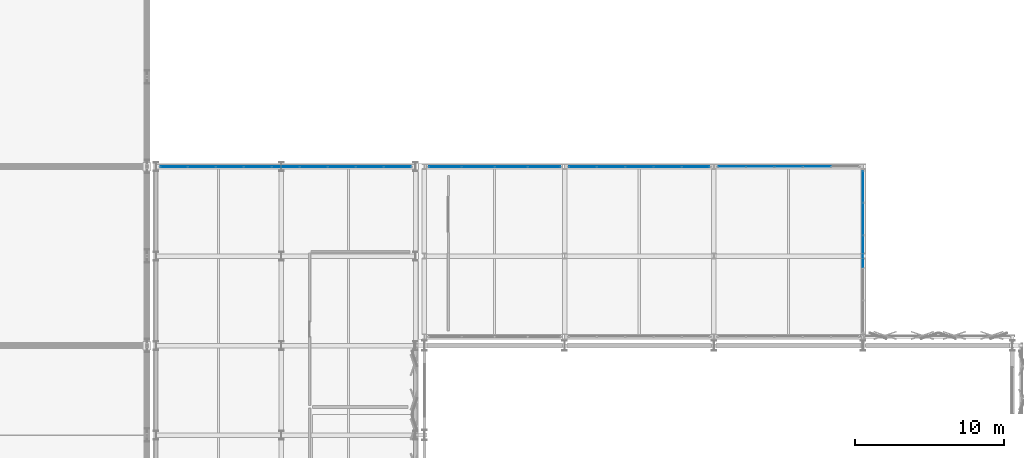
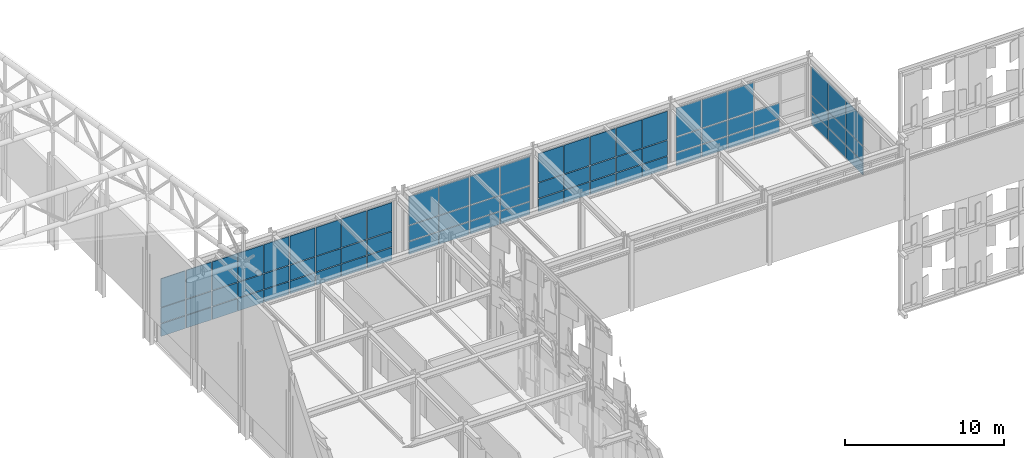
# One storey, part 197 of 239: 74 plates, 5 elements without a shape of their own.
"""IFC4 building model written with IfcOpenShell, lengths in metres."""

from ifc_helpers import new_model, si_unit, direction, frame, origin, origin_2d, place, context, subcontext, project, spatial, rectangle, extrude, material, type_object, element, aggregate, save


model = new_model("IFC4")

# Units and contexts
model_context = context("Model", 3, precision=1e-05, world=origin(), true_north=direction((0.0, 1.0)))
body_context = subcontext(model_context, "Body", "Model", "MODEL_VIEW")
ifc_project = project(units=[si_unit("LENGTHUNIT", "METRE"), si_unit("AREAUNIT", "SQUARE_METRE"), si_unit("VOLUMEUNIT", "CUBIC_METRE"), si_unit("PLANEANGLEUNIT", "RADIAN"), si_unit("MASSUNIT", "GRAM", prefix="KILO")], contexts=[model_context])

# Site, building, storey
site_placement = place(None, origin())
site = spatial("IfcSite", under=ifc_project, at=site_placement, CompositionType="ELEMENT")
building_placement = place(site_placement, origin())
building = spatial("IfcBuilding", under=site, at=building_placement, Name="Kaldris Quays Convention Centre", CompositionType="ELEMENT")
storey_placement = place(building_placement, frame((0.0, 0.0, 11.39990234375)))
storey = spatial("IfcBuildingStorey", under=building, at=storey_placement, Name="L02", CompositionType="ELEMENT", Elevation=11.39990234375)

# Curtain wall, plates
ifc_material_1 = material(Name="Anodized aluminium AW-6060 and triple glazing", Category="aluminium")
curtain_wall_type_1 = type_object("IfcCurtainWallType", Name="UNITISED CURTAIN WALL CW06", PredefinedType="NOTDEFINED", material=ifc_material_1)
curtain_wall_1_placement = place(storey_placement, origin())
curtain_wall_1 = element("IfcCurtainWall", 1, at=curtain_wall_1_placement, inside=storey, type_object=curtain_wall_type_1, Name="L02 Unitised Curtain Wall CW06 170", PredefinedType="NOTDEFINED")
ifc_material_2 = material(Name="Triple low-E insulated glazing", Category="glass")
plate_type_1 = type_object("IfcPlateType", Name="CURTAIN GLAZING PANEL CWP2", PredefinedType="CURTAIN_PANEL", material=ifc_material_2)
plate_1_placement = place(storey_placement, frame((185.215087890625, 116.0, 0.06005859375), z_axis=(0.0, 0.0, 1.0), x_axis=(1.0, 0.0, 0.0)))
plate_1 = element("IfcPlate", 2, at=plate_1_placement, type_object=plate_type_1, Name="CW06 panel 1.1", PredefinedType="CURTAIN_PANEL", context=body_context, shape_type="SweptSolid", body=[
    extrude(rectangle(XDim=1.81005859375, YDim=0.033935546875, at=origin_2d()), origin(), (0.0, 0.0, 1.0), 0.9599609375),
])
plate_2_placement = place(storey_placement, frame((185.215087890625, 116.0, 1.080078125), z_axis=(0.0, 0.0, 1.0), x_axis=(1.0, 0.0, 0.0)))
plate_2 = element("IfcPlate", 3, at=plate_2_placement, type_object=plate_type_1, Name="CW06 panel 1.2", PredefinedType="CURTAIN_PANEL", context=body_context, shape_type="SweptSolid", body=[
    extrude(rectangle(XDim=1.81005859375, YDim=0.033935546875, at=origin_2d()), origin(), (0.0, 0.0, 1.0), 1.1640625),
])
plate_3_placement = place(storey_placement, frame((185.215087890625, 116.0, 2.303955078125), z_axis=(0.0, 0.0, 1.0), x_axis=(1.0, 0.0, 0.0)))
plate_3 = element("IfcPlate", 4, at=plate_3_placement, type_object=plate_type_1, Name="CW06 panel 1.3", PredefinedType="CURTAIN_PANEL", context=body_context, shape_type="SweptSolid", body=[
    extrude(rectangle(XDim=1.81005859375, YDim=0.033935546875, at=origin_2d()), origin(), (0.0, 0.0, 1.0), 2.18408203125),
])
plate_4_placement = place(storey_placement, frame((187.10009765625, 116.0, 0.06005859375), z_axis=(0.0, 0.0, 1.0), x_axis=(1.0, 0.0, 0.0)))
plate_4 = element("IfcPlate", 5, at=plate_4_placement, type_object=plate_type_1, Name="CW06 panel 2.1", PredefinedType="CURTAIN_PANEL", context=body_context, shape_type="SweptSolid", body=[
    extrude(rectangle(XDim=1.840087890625, YDim=0.033935546875, at=origin_2d()), origin(), (0.0, 0.0, 1.0), 0.9599609375),
])
plate_5_placement = place(storey_placement, frame((187.10009765625, 116.0, 1.080078125), z_axis=(0.0, 0.0, 1.0), x_axis=(1.0, 0.0, 0.0)))
plate_5 = element("IfcPlate", 6, at=plate_5_placement, type_object=plate_type_1, Name="CW06 panel 2.2", PredefinedType="CURTAIN_PANEL", context=body_context, shape_type="SweptSolid", body=[
    extrude(rectangle(XDim=1.840087890625, YDim=0.033935546875, at=origin_2d()), origin(), (0.0, 0.0, 1.0), 1.1640625),
])
plate_6_placement = place(storey_placement, frame((187.10009765625, 116.0, 2.303955078125), z_axis=(0.0, 0.0, 1.0), x_axis=(1.0, 0.0, 0.0)))
plate_6 = element("IfcPlate", 7, at=plate_6_placement, type_object=plate_type_1, Name="CW06 panel 2.3", PredefinedType="CURTAIN_PANEL", context=body_context, shape_type="SweptSolid", body=[
    extrude(rectangle(XDim=1.840087890625, YDim=0.033935546875, at=origin_2d()), origin(), (0.0, 0.0, 1.0), 2.18408203125),
])
plate_7_placement = place(storey_placement, frame((189.0, 116.0, 0.06005859375), z_axis=(0.0, 0.0, 1.0), x_axis=(1.0, 0.0, 0.0)))
plate_7 = element("IfcPlate", 8, at=plate_7_placement, type_object=plate_type_1, Name="CW06 panel 3.1", PredefinedType="CURTAIN_PANEL", context=body_context, shape_type="SweptSolid", body=[
    extrude(rectangle(XDim=1.840087890625, YDim=0.033935546875, at=origin_2d()), origin(), (0.0, 0.0, 1.0), 0.9599609375),
])
plate_8_placement = place(storey_placement, frame((189.0, 116.0, 1.080078125), z_axis=(0.0, 0.0, 1.0), x_axis=(1.0, 0.0, 0.0)))
plate_8 = element("IfcPlate", 9, at=plate_8_placement, type_object=plate_type_1, Name="CW06 panel 3.2", PredefinedType="CURTAIN_PANEL", context=body_context, shape_type="SweptSolid", body=[
    extrude(rectangle(XDim=1.840087890625, YDim=0.033935546875, at=origin_2d()), origin(), (0.0, 0.0, 1.0), 1.1640625),
])
plate_9_placement = place(storey_placement, frame((189.0, 116.0, 2.303955078125), z_axis=(0.0, 0.0, 1.0), x_axis=(1.0, 0.0, 0.0)))
plate_9 = element("IfcPlate", 10, at=plate_9_placement, type_object=plate_type_1, Name="CW06 panel 3.3", PredefinedType="CURTAIN_PANEL", context=body_context, shape_type="SweptSolid", body=[
    extrude(rectangle(XDim=1.840087890625, YDim=0.033935546875, at=origin_2d()), origin(), (0.0, 0.0, 1.0), 2.18408203125),
])
plate_10_placement = place(storey_placement, frame((190.89990234375, 116.0, 0.06005859375), z_axis=(0.0, 0.0, 1.0), x_axis=(1.0, 0.0, 0.0)))
plate_10 = element("IfcPlate", 11, at=plate_10_placement, type_object=plate_type_1, Name="CW06 panel 4.1", PredefinedType="CURTAIN_PANEL", context=body_context, shape_type="SweptSolid", body=[
    extrude(rectangle(XDim=1.840087890625, YDim=0.033935546875, at=origin_2d()), origin(), (0.0, 0.0, 1.0), 0.9599609375),
])
plate_11_placement = place(storey_placement, frame((190.89990234375, 116.0, 1.080078125), z_axis=(0.0, 0.0, 1.0), x_axis=(1.0, 0.0, 0.0)))
plate_11 = element("IfcPlate", 12, at=plate_11_placement, type_object=plate_type_1, Name="CW06 panel 4.2", PredefinedType="CURTAIN_PANEL", context=body_context, shape_type="SweptSolid", body=[
    extrude(rectangle(XDim=1.840087890625, YDim=0.033935546875, at=origin_2d()), origin(), (0.0, 0.0, 1.0), 1.1640625),
])
aggregate(curtain_wall_1, [plate_1, plate_2, plate_3, plate_4, plate_5, plate_6, plate_7, plate_8, plate_9, plate_10, plate_11])

curtain_wall_2_placement = place(storey_placement, origin())
curtain_wall_2 = element("IfcCurtainWall", 13, at=curtain_wall_2_placement, inside=storey, type_object=curtain_wall_type_1, Name="L02 Unitised Curtain Wall CW06 172", PredefinedType="NOTDEFINED")
plate_type_2 = type_object("IfcPlateType", Name="CURTAIN GLAZING PANEL CWP4", PredefinedType="CURTAIN_PANEL", material=ifc_material_2)
plate_12_placement = place(storey_placement, frame((194.0, 110.300048828125, 0.06005859375), z_axis=(0.0, 0.0, 1.0), x_axis=(0.0, 1.0, 0.0)))
plate_12 = element("IfcPlate", 14, at=plate_12_placement, type_object=plate_type_2, Name="CW06 panel 3.1", PredefinedType="CURTAIN_PANEL", context=body_context, shape_type="SweptSolid", body=[
    extrude(rectangle(XDim=2.1201171875, YDim=0.0439453125, at=origin_2d()), origin(), (0.0, 0.0, 1.0), 0.9599609375),
])
plate_13_placement = place(storey_placement, frame((194.0, 110.300048828125, 1.080078125), z_axis=(0.0, 0.0, 1.0), x_axis=(0.0, 1.0, 0.0)))
plate_13 = element("IfcPlate", 15, at=plate_13_placement, type_object=plate_type_2, Name="CW06 panel 3.2", PredefinedType="CURTAIN_PANEL", context=body_context, shape_type="SweptSolid", body=[
    extrude(rectangle(XDim=2.1201171875, YDim=0.0439453125, at=origin_2d()), origin(), (0.0, 0.0, 1.0), 1.1640625),
])
plate_14_placement = place(storey_placement, frame((194.0, 110.300048828125, 2.303955078125), z_axis=(0.0, 0.0, 1.0), x_axis=(0.0, 1.0, 0.0)))
plate_14 = element("IfcPlate", 16, at=plate_14_placement, type_object=plate_type_2, Name="CW06 panel 3.3", PredefinedType="CURTAIN_PANEL", context=body_context, shape_type="SweptSolid", body=[
    extrude(rectangle(XDim=2.1201171875, YDim=0.0439453125, at=origin_2d()), origin(), (0.0, 0.0, 1.0), 2.18408203125),
])
plate_15_placement = place(storey_placement, frame((194.0, 112.47998046875, 0.06005859375), z_axis=(0.0, 0.0, 1.0), x_axis=(0.0, 1.0, 0.0)))
plate_15 = element("IfcPlate", 17, at=plate_15_placement, type_object=plate_type_2, Name="CW06 panel 4.1", PredefinedType="CURTAIN_PANEL", context=body_context, shape_type="SweptSolid", body=[
    extrude(rectangle(XDim=2.1201171875, YDim=0.0439453125, at=origin_2d()), origin(), (0.0, 0.0, 1.0), 0.9599609375),
])
plate_16_placement = place(storey_placement, frame((194.0, 112.47998046875, 1.080078125), z_axis=(0.0, 0.0, 1.0), x_axis=(0.0, 1.0, 0.0)))
plate_16 = element("IfcPlate", 18, at=plate_16_placement, type_object=plate_type_2, Name="CW06 panel 4.2", PredefinedType="CURTAIN_PANEL", context=body_context, shape_type="SweptSolid", body=[
    extrude(rectangle(XDim=2.1201171875, YDim=0.0439453125, at=origin_2d()), origin(), (0.0, 0.0, 1.0), 1.1640625),
])
plate_17_placement = place(storey_placement, frame((194.0, 112.47998046875, 2.303955078125), z_axis=(0.0, 0.0, 1.0), x_axis=(0.0, 1.0, 0.0)))
plate_17 = element("IfcPlate", 19, at=plate_17_placement, type_object=plate_type_2, Name="CW06 panel 4.3", PredefinedType="CURTAIN_PANEL", context=body_context, shape_type="SweptSolid", body=[
    extrude(rectangle(XDim=2.1201171875, YDim=0.0439453125, at=origin_2d()), origin(), (0.0, 0.0, 1.0), 2.18408203125),
])
plate_18_placement = place(storey_placement, frame((194.0, 114.64501953125, 0.06005859375), z_axis=(0.0, 0.0, 1.0), x_axis=(0.0, 1.0, 0.0)))
plate_18 = element("IfcPlate", 20, at=plate_18_placement, type_object=plate_type_2, Name="CW06 panel 5.1", PredefinedType="CURTAIN_PANEL", context=body_context, shape_type="SweptSolid", body=[
    extrude(rectangle(XDim=2.090087890625, YDim=0.0439453125, at=origin_2d()), origin(), (0.0, 0.0, 1.0), 0.9599609375),
])
plate_19_placement = place(storey_placement, frame((194.0, 114.64501953125, 1.080078125), z_axis=(0.0, 0.0, 1.0), x_axis=(0.0, 1.0, 0.0)))
plate_19 = element("IfcPlate", 21, at=plate_19_placement, type_object=plate_type_2, Name="CW06 panel 5.2", PredefinedType="CURTAIN_PANEL", context=body_context, shape_type="SweptSolid", body=[
    extrude(rectangle(XDim=2.090087890625, YDim=0.0439453125, at=origin_2d()), origin(), (0.0, 0.0, 1.0), 1.1640625),
])
plate_20_placement = place(storey_placement, frame((194.0, 114.64501953125, 2.303955078125), z_axis=(0.0, 0.0, 1.0), x_axis=(0.0, 1.0, 0.0)))
plate_20 = element("IfcPlate", 22, at=plate_20_placement, type_object=plate_type_2, Name="CW06 panel 5.3", PredefinedType="CURTAIN_PANEL", context=body_context, shape_type="SweptSolid", body=[
    extrude(rectangle(XDim=2.090087890625, YDim=0.0439453125, at=origin_2d()), origin(), (0.0, 0.0, 1.0), 2.18408203125),
])
aggregate(curtain_wall_2, [plate_12, plate_13, plate_14, plate_15, plate_16, plate_17, plate_18, plate_19, plate_20])

curtain_wall_3_placement = place(storey_placement, origin())
curtain_wall_3 = element("IfcCurtainWall", 23, at=curtain_wall_3_placement, inside=storey, type_object=curtain_wall_type_1, Name="L02 Unitised Curtain Wall CW06 166", PredefinedType="NOTDEFINED")
plate_type_3 = type_object("IfcPlateType", Name="CURTAIN GLAZING PANEL CWP6", PredefinedType="CURTAIN_PANEL", material=ifc_material_2)
plate_21_placement = place(storey_placement, frame((165.9775390625, 116.0, 0.06005859375), z_axis=(0.0, 0.0, 1.0), x_axis=(1.0, 0.0, 0.0)))
plate_21 = element("IfcPlate", 24, at=plate_21_placement, type_object=plate_type_3, Name="CW06 panel 1.1", PredefinedType="CURTAIN_PANEL", context=body_context, shape_type="SweptSolid", body=[
    extrude(rectangle(XDim=2.135009765625, YDim=0.053955078125, at=origin_2d()), origin(), (0.0, 0.0, 1.0), 0.9599609375),
])
plate_22_placement = place(storey_placement, frame((165.9775390625, 116.0, 1.080078125), z_axis=(0.0, 0.0, 1.0), x_axis=(1.0, 0.0, 0.0)))
plate_22 = element("IfcPlate", 25, at=plate_22_placement, type_object=plate_type_3, Name="CW06 panel 1.2", PredefinedType="CURTAIN_PANEL", context=body_context, shape_type="SweptSolid", body=[
    extrude(rectangle(XDim=2.135009765625, YDim=0.053955078125, at=origin_2d()), origin(), (0.0, 0.0, 1.0), 1.1640625),
])
plate_23_placement = place(storey_placement, frame((165.9775390625, 116.0, 2.303955078125), z_axis=(0.0, 0.0, 1.0), x_axis=(1.0, 0.0, 0.0)))
plate_23 = element("IfcPlate", 26, at=plate_23_placement, type_object=plate_type_3, Name="CW06 panel 1.3", PredefinedType="CURTAIN_PANEL", context=body_context, shape_type="SweptSolid", body=[
    extrude(rectangle(XDim=2.135009765625, YDim=0.053955078125, at=origin_2d()), origin(), (0.0, 0.0, 1.0), 2.18408203125),
])
plate_24_placement = place(storey_placement, frame((168.1875, 116.0, 0.06005859375), z_axis=(0.0, 0.0, 1.0), x_axis=(1.0, 0.0, 0.0)))
plate_24 = element("IfcPlate", 27, at=plate_24_placement, type_object=plate_type_3, Name="CW06 panel 2.1", PredefinedType="CURTAIN_PANEL", context=body_context, shape_type="SweptSolid", body=[
    extrude(rectangle(XDim=2.1650390625, YDim=0.053955078125, at=origin_2d()), origin(), (0.0, 0.0, 1.0), 0.9599609375),
])
plate_25_placement = place(storey_placement, frame((168.1875, 116.0, 1.080078125), z_axis=(0.0, 0.0, 1.0), x_axis=(1.0, 0.0, 0.0)))
plate_25 = element("IfcPlate", 28, at=plate_25_placement, type_object=plate_type_3, Name="CW06 panel 2.2", PredefinedType="CURTAIN_PANEL", context=body_context, shape_type="SweptSolid", body=[
    extrude(rectangle(XDim=2.1650390625, YDim=0.053955078125, at=origin_2d()), origin(), (0.0, 0.0, 1.0), 1.1640625),
])
plate_26_placement = place(storey_placement, frame((168.1875, 116.0, 2.303955078125), z_axis=(0.0, 0.0, 1.0), x_axis=(1.0, 0.0, 0.0)))
plate_26 = element("IfcPlate", 29, at=plate_26_placement, type_object=plate_type_3, Name="CW06 panel 2.3", PredefinedType="CURTAIN_PANEL", context=body_context, shape_type="SweptSolid", body=[
    extrude(rectangle(XDim=2.1650390625, YDim=0.053955078125, at=origin_2d()), origin(), (0.0, 0.0, 1.0), 2.18408203125),
])
plate_27_placement = place(storey_placement, frame((170.41259765625, 116.0, 0.06005859375), z_axis=(0.0, 0.0, 1.0), x_axis=(1.0, 0.0, 0.0)))
plate_27 = element("IfcPlate", 30, at=plate_27_placement, type_object=plate_type_3, Name="CW06 panel 3.1", PredefinedType="CURTAIN_PANEL", context=body_context, shape_type="SweptSolid", body=[
    extrude(rectangle(XDim=2.1650390625, YDim=0.053955078125, at=origin_2d()), origin(), (0.0, 0.0, 1.0), 0.9599609375),
])
plate_28_placement = place(storey_placement, frame((170.41259765625, 116.0, 1.080078125), z_axis=(0.0, 0.0, 1.0), x_axis=(1.0, 0.0, 0.0)))
plate_28 = element("IfcPlate", 31, at=plate_28_placement, type_object=plate_type_3, Name="CW06 panel 3.2", PredefinedType="CURTAIN_PANEL", context=body_context, shape_type="SweptSolid", body=[
    extrude(rectangle(XDim=2.1650390625, YDim=0.053955078125, at=origin_2d()), origin(), (0.0, 0.0, 1.0), 1.1640625),
])
plate_29_placement = place(storey_placement, frame((170.41259765625, 116.0, 2.303955078125), z_axis=(0.0, 0.0, 1.0), x_axis=(1.0, 0.0, 0.0)))
plate_29 = element("IfcPlate", 32, at=plate_29_placement, type_object=plate_type_3, Name="CW06 panel 3.3", PredefinedType="CURTAIN_PANEL", context=body_context, shape_type="SweptSolid", body=[
    extrude(rectangle(XDim=2.1650390625, YDim=0.053955078125, at=origin_2d()), origin(), (0.0, 0.0, 1.0), 2.18408203125),
])
plate_30_placement = place(storey_placement, frame((172.62255859375, 116.0, 0.06005859375), z_axis=(0.0, 0.0, 1.0), x_axis=(1.0, 0.0, 0.0)))
plate_30 = element("IfcPlate", 33, at=plate_30_placement, type_object=plate_type_3, Name="CW06 panel 4.1", PredefinedType="CURTAIN_PANEL", context=body_context, shape_type="SweptSolid", body=[
    extrude(rectangle(XDim=2.135009765625, YDim=0.053955078125, at=origin_2d()), origin(), (0.0, 0.0, 1.0), 0.9599609375),
])
plate_31_placement = place(storey_placement, frame((172.62255859375, 116.0, 1.080078125), z_axis=(0.0, 0.0, 1.0), x_axis=(1.0, 0.0, 0.0)))
plate_31 = element("IfcPlate", 34, at=plate_31_placement, type_object=plate_type_3, Name="CW06 panel 4.2", PredefinedType="CURTAIN_PANEL", context=body_context, shape_type="SweptSolid", body=[
    extrude(rectangle(XDim=2.135009765625, YDim=0.053955078125, at=origin_2d()), origin(), (0.0, 0.0, 1.0), 1.1640625),
])
plate_32_placement = place(storey_placement, frame((172.62255859375, 116.0, 2.303955078125), z_axis=(0.0, 0.0, 1.0), x_axis=(1.0, 0.0, 0.0)))
plate_32 = element("IfcPlate", 35, at=plate_32_placement, type_object=plate_type_3, Name="CW06 panel 4.3", PredefinedType="CURTAIN_PANEL", context=body_context, shape_type="SweptSolid", body=[
    extrude(rectangle(XDim=2.135009765625, YDim=0.053955078125, at=origin_2d()), origin(), (0.0, 0.0, 1.0), 2.18408203125),
])
aggregate(curtain_wall_3, [plate_21, plate_22, plate_23, plate_24, plate_25, plate_26, plate_27, plate_28, plate_29, plate_30, plate_31, plate_32])

curtain_wall_type_2 = type_object("IfcCurtainWallType", Name="UNITISED CURTAIN WALL CW05", PredefinedType="NOTDEFINED", material=ifc_material_1)
curtain_wall_4_placement = place(storey_placement, origin())
curtain_wall_4 = element("IfcCurtainWall", 36, at=curtain_wall_4_placement, inside=storey, type_object=curtain_wall_type_2, Name="L02 Unitised Curtain Wall CW05 144", PredefinedType="NOTDEFINED")
plate_type_4 = type_object("IfcPlateType", Name="CURTAIN GLAZING PANEL CWP8", PredefinedType="CURTAIN_PANEL", material=ifc_material_2)
plate_33_placement = place(storey_placement, frame((147.803955078125, 116.0, 0.06005859375), z_axis=(0.0, 0.0, 1.0), x_axis=(1.0, 0.0, 0.0)))
plate_33 = element("IfcPlate", 37, at=plate_33_placement, type_object=plate_type_4, Name="CW05 panel 1.1", PredefinedType="CURTAIN_PANEL", context=body_context, shape_type="SweptSolid", body=[
    extrude(rectangle(XDim=1.787841796875, YDim=0.06396484375, at=origin_2d()), origin(), (0.0, 0.0, 1.0), 0.9599609375),
])
plate_34_placement = place(storey_placement, frame((147.803955078125, 116.0, 1.080078125), z_axis=(0.0, 0.0, 1.0), x_axis=(1.0, 0.0, 0.0)))
plate_34 = element("IfcPlate", 38, at=plate_34_placement, type_object=plate_type_4, Name="CW05 panel 1.2", PredefinedType="CURTAIN_PANEL", context=body_context, shape_type="SweptSolid", body=[
    extrude(rectangle(XDim=1.787841796875, YDim=0.06396484375, at=origin_2d()), origin(), (0.0, 0.0, 1.0), 1.1640625),
])
plate_35_placement = place(storey_placement, frame((147.803955078125, 116.0, 2.303955078125), z_axis=(0.0, 0.0, 1.0), x_axis=(1.0, 0.0, 0.0)))
plate_35 = element("IfcPlate", 39, at=plate_35_placement, type_object=plate_type_4, Name="CW05 panel 1.3", PredefinedType="CURTAIN_PANEL", context=body_context, shape_type="SweptSolid", body=[
    extrude(rectangle(XDim=1.787841796875, YDim=0.06396484375, at=origin_2d()), origin(), (0.0, 0.0, 1.0), 2.18408203125),
])
plate_36_placement = place(storey_placement, frame((149.666748046875, 116.0, 0.06005859375), z_axis=(0.0, 0.0, 1.0), x_axis=(1.0, 0.0, 0.0)))
plate_36 = element("IfcPlate", 40, at=plate_36_placement, type_object=plate_type_4, Name="CW05 panel 2.1", PredefinedType="CURTAIN_PANEL", context=body_context, shape_type="SweptSolid", body=[
    extrude(rectangle(XDim=1.81787109375, YDim=0.06396484375, at=origin_2d()), origin(), (0.0, 0.0, 1.0), 0.9599609375),
])
plate_37_placement = place(storey_placement, frame((149.666748046875, 116.0, 1.080078125), z_axis=(0.0, 0.0, 1.0), x_axis=(1.0, 0.0, 0.0)))
plate_37 = element("IfcPlate", 41, at=plate_37_placement, type_object=plate_type_4, Name="CW05 panel 2.2", PredefinedType="CURTAIN_PANEL", context=body_context, shape_type="SweptSolid", body=[
    extrude(rectangle(XDim=1.81787109375, YDim=0.06396484375, at=origin_2d()), origin(), (0.0, 0.0, 1.0), 1.1640625),
])
plate_38_placement = place(storey_placement, frame((149.666748046875, 116.0, 2.303955078125), z_axis=(0.0, 0.0, 1.0), x_axis=(1.0, 0.0, 0.0)))
plate_38 = element("IfcPlate", 42, at=plate_38_placement, type_object=plate_type_4, Name="CW05 panel 2.3", PredefinedType="CURTAIN_PANEL", context=body_context, shape_type="SweptSolid", body=[
    extrude(rectangle(XDim=1.81787109375, YDim=0.06396484375, at=origin_2d()), origin(), (0.0, 0.0, 1.0), 2.18408203125),
])
plate_39_placement = place(storey_placement, frame((151.54443359375, 116.0, 0.06005859375), z_axis=(0.0, 0.0, 1.0), x_axis=(1.0, 0.0, 0.0)))
plate_39 = element("IfcPlate", 43, at=plate_39_placement, type_object=plate_type_4, Name="CW05 panel 3.1", PredefinedType="CURTAIN_PANEL", context=body_context, shape_type="SweptSolid", body=[
    extrude(rectangle(XDim=1.81787109375, YDim=0.06396484375, at=origin_2d()), origin(), (0.0, 0.0, 1.0), 0.9599609375),
])
plate_40_placement = place(storey_placement, frame((151.54443359375, 116.0, 1.080078125), z_axis=(0.0, 0.0, 1.0), x_axis=(1.0, 0.0, 0.0)))
plate_40 = element("IfcPlate", 44, at=plate_40_placement, type_object=plate_type_4, Name="CW05 panel 3.2", PredefinedType="CURTAIN_PANEL", context=body_context, shape_type="SweptSolid", body=[
    extrude(rectangle(XDim=1.81787109375, YDim=0.06396484375, at=origin_2d()), origin(), (0.0, 0.0, 1.0), 1.1640625),
])
plate_41_placement = place(storey_placement, frame((151.54443359375, 116.0, 2.303955078125), z_axis=(0.0, 0.0, 1.0), x_axis=(1.0, 0.0, 0.0)))
plate_41 = element("IfcPlate", 45, at=plate_41_placement, type_object=plate_type_4, Name="CW05 panel 3.3", PredefinedType="CURTAIN_PANEL", context=body_context, shape_type="SweptSolid", body=[
    extrude(rectangle(XDim=1.81787109375, YDim=0.06396484375, at=origin_2d()), origin(), (0.0, 0.0, 1.0), 2.18408203125),
])
plate_42_placement = place(storey_placement, frame((153.422119140625, 116.0, 0.06005859375), z_axis=(0.0, 0.0, 1.0), x_axis=(1.0, 0.0, 0.0)))
plate_42 = element("IfcPlate", 46, at=plate_42_placement, type_object=plate_type_4, Name="CW05 panel 4.1", PredefinedType="CURTAIN_PANEL", context=body_context, shape_type="SweptSolid", body=[
    extrude(rectangle(XDim=1.81787109375, YDim=0.06396484375, at=origin_2d()), origin(), (0.0, 0.0, 1.0), 0.9599609375),
])
plate_43_placement = place(storey_placement, frame((153.422119140625, 116.0, 1.080078125), z_axis=(0.0, 0.0, 1.0), x_axis=(1.0, 0.0, 0.0)))
plate_43 = element("IfcPlate", 47, at=plate_43_placement, type_object=plate_type_4, Name="CW05 panel 4.2", PredefinedType="CURTAIN_PANEL", context=body_context, shape_type="SweptSolid", body=[
    extrude(rectangle(XDim=1.81787109375, YDim=0.06396484375, at=origin_2d()), origin(), (0.0, 0.0, 1.0), 1.1640625),
])
plate_44_placement = place(storey_placement, frame((153.422119140625, 116.0, 2.303955078125), z_axis=(0.0, 0.0, 1.0), x_axis=(1.0, 0.0, 0.0)))
plate_44 = element("IfcPlate", 48, at=plate_44_placement, type_object=plate_type_4, Name="CW05 panel 4.3", PredefinedType="CURTAIN_PANEL", context=body_context, shape_type="SweptSolid", body=[
    extrude(rectangle(XDim=1.81787109375, YDim=0.06396484375, at=origin_2d()), origin(), (0.0, 0.0, 1.0), 2.18408203125),
])
plate_45_placement = place(storey_placement, frame((155.300048828125, 116.0, 0.06005859375), z_axis=(0.0, 0.0, 1.0), x_axis=(1.0, 0.0, 0.0)))
plate_45 = element("IfcPlate", 49, at=plate_45_placement, type_object=plate_type_4, Name="CW05 panel 5.1", PredefinedType="CURTAIN_PANEL", context=body_context, shape_type="SweptSolid", body=[
    extrude(rectangle(XDim=1.81787109375, YDim=0.06396484375, at=origin_2d()), origin(), (0.0, 0.0, 1.0), 0.9599609375),
])
plate_46_placement = place(storey_placement, frame((155.300048828125, 116.0, 1.080078125), z_axis=(0.0, 0.0, 1.0), x_axis=(1.0, 0.0, 0.0)))
plate_46 = element("IfcPlate", 50, at=plate_46_placement, type_object=plate_type_4, Name="CW05 panel 5.2", PredefinedType="CURTAIN_PANEL", context=body_context, shape_type="SweptSolid", body=[
    extrude(rectangle(XDim=1.81787109375, YDim=0.06396484375, at=origin_2d()), origin(), (0.0, 0.0, 1.0), 1.1640625),
])
plate_47_placement = place(storey_placement, frame((155.300048828125, 116.0, 2.303955078125), z_axis=(0.0, 0.0, 1.0), x_axis=(1.0, 0.0, 0.0)))
plate_47 = element("IfcPlate", 51, at=plate_47_placement, type_object=plate_type_4, Name="CW05 panel 5.3", PredefinedType="CURTAIN_PANEL", context=body_context, shape_type="SweptSolid", body=[
    extrude(rectangle(XDim=1.81787109375, YDim=0.06396484375, at=origin_2d()), origin(), (0.0, 0.0, 1.0), 2.18408203125),
])
plate_48_placement = place(storey_placement, frame((157.177734375, 116.0, 0.06005859375), z_axis=(0.0, 0.0, 1.0), x_axis=(1.0, 0.0, 0.0)))
plate_48 = element("IfcPlate", 52, at=plate_48_placement, type_object=plate_type_4, Name="CW05 panel 6.1", PredefinedType="CURTAIN_PANEL", context=body_context, shape_type="SweptSolid", body=[
    extrude(rectangle(XDim=1.81787109375, YDim=0.06396484375, at=origin_2d()), origin(), (0.0, 0.0, 1.0), 0.9599609375),
])
plate_49_placement = place(storey_placement, frame((157.177734375, 116.0, 1.080078125), z_axis=(0.0, 0.0, 1.0), x_axis=(1.0, 0.0, 0.0)))
plate_49 = element("IfcPlate", 53, at=plate_49_placement, type_object=plate_type_4, Name="CW05 panel 6.2", PredefinedType="CURTAIN_PANEL", context=body_context, shape_type="SweptSolid", body=[
    extrude(rectangle(XDim=1.81787109375, YDim=0.06396484375, at=origin_2d()), origin(), (0.0, 0.0, 1.0), 1.1640625),
])
plate_50_placement = place(storey_placement, frame((157.177734375, 116.0, 2.303955078125), z_axis=(0.0, 0.0, 1.0), x_axis=(1.0, 0.0, 0.0)))
plate_50 = element("IfcPlate", 54, at=plate_50_placement, type_object=plate_type_4, Name="CW05 panel 6.3", PredefinedType="CURTAIN_PANEL", context=body_context, shape_type="SweptSolid", body=[
    extrude(rectangle(XDim=1.81787109375, YDim=0.06396484375, at=origin_2d()), origin(), (0.0, 0.0, 1.0), 2.18408203125),
])
plate_51_placement = place(storey_placement, frame((159.0556640625, 116.0, 0.06005859375), z_axis=(0.0, 0.0, 1.0), x_axis=(1.0, 0.0, 0.0)))
plate_51 = element("IfcPlate", 55, at=plate_51_placement, type_object=plate_type_4, Name="CW05 panel 7.1", PredefinedType="CURTAIN_PANEL", context=body_context, shape_type="SweptSolid", body=[
    extrude(rectangle(XDim=1.81787109375, YDim=0.06396484375, at=origin_2d()), origin(), (0.0, 0.0, 1.0), 0.9599609375),
])
plate_52_placement = place(storey_placement, frame((159.0556640625, 116.0, 1.080078125), z_axis=(0.0, 0.0, 1.0), x_axis=(1.0, 0.0, 0.0)))
plate_52 = element("IfcPlate", 56, at=plate_52_placement, type_object=plate_type_4, Name="CW05 panel 7.2", PredefinedType="CURTAIN_PANEL", context=body_context, shape_type="SweptSolid", body=[
    extrude(rectangle(XDim=1.81787109375, YDim=0.06396484375, at=origin_2d()), origin(), (0.0, 0.0, 1.0), 1.1640625),
])
plate_53_placement = place(storey_placement, frame((159.0556640625, 116.0, 2.303955078125), z_axis=(0.0, 0.0, 1.0), x_axis=(1.0, 0.0, 0.0)))
plate_53 = element("IfcPlate", 57, at=plate_53_placement, type_object=plate_type_4, Name="CW05 panel 7.3", PredefinedType="CURTAIN_PANEL", context=body_context, shape_type="SweptSolid", body=[
    extrude(rectangle(XDim=1.81787109375, YDim=0.06396484375, at=origin_2d()), origin(), (0.0, 0.0, 1.0), 2.18408203125),
])
plate_54_placement = place(storey_placement, frame((160.933349609375, 116.0, 0.06005859375), z_axis=(0.0, 0.0, 1.0), x_axis=(1.0, 0.0, 0.0)))
plate_54 = element("IfcPlate", 58, at=plate_54_placement, type_object=plate_type_4, Name="CW05 panel 8.1", PredefinedType="CURTAIN_PANEL", context=body_context, shape_type="SweptSolid", body=[
    extrude(rectangle(XDim=1.81787109375, YDim=0.06396484375, at=origin_2d()), origin(), (0.0, 0.0, 1.0), 0.9599609375),
])
plate_55_placement = place(storey_placement, frame((160.933349609375, 116.0, 1.080078125), z_axis=(0.0, 0.0, 1.0), x_axis=(1.0, 0.0, 0.0)))
plate_55 = element("IfcPlate", 59, at=plate_55_placement, type_object=plate_type_4, Name="CW05 panel 8.2", PredefinedType="CURTAIN_PANEL", context=body_context, shape_type="SweptSolid", body=[
    extrude(rectangle(XDim=1.81787109375, YDim=0.06396484375, at=origin_2d()), origin(), (0.0, 0.0, 1.0), 1.1640625),
])
plate_56_placement = place(storey_placement, frame((160.933349609375, 116.0, 2.303955078125), z_axis=(0.0, 0.0, 1.0), x_axis=(1.0, 0.0, 0.0)))
plate_56 = element("IfcPlate", 60, at=plate_56_placement, type_object=plate_type_4, Name="CW05 panel 8.3", PredefinedType="CURTAIN_PANEL", context=body_context, shape_type="SweptSolid", body=[
    extrude(rectangle(XDim=1.81787109375, YDim=0.06396484375, at=origin_2d()), origin(), (0.0, 0.0, 1.0), 2.18408203125),
])
plate_57_placement = place(storey_placement, frame((162.796142578125, 116.0, 0.06005859375), z_axis=(0.0, 0.0, 1.0), x_axis=(1.0, 0.0, 0.0)))
plate_57 = element("IfcPlate", 61, at=plate_57_placement, type_object=plate_type_4, Name="CW05 panel 9.1", PredefinedType="CURTAIN_PANEL", context=body_context, shape_type="SweptSolid", body=[
    extrude(rectangle(XDim=1.787841796875, YDim=0.06396484375, at=origin_2d()), origin(), (0.0, 0.0, 1.0), 0.9599609375),
])
plate_58_placement = place(storey_placement, frame((162.796142578125, 116.0, 1.080078125), z_axis=(0.0, 0.0, 1.0), x_axis=(1.0, 0.0, 0.0)))
plate_58 = element("IfcPlate", 62, at=plate_58_placement, type_object=plate_type_4, Name="CW05 panel 9.2", PredefinedType="CURTAIN_PANEL", context=body_context, shape_type="SweptSolid", body=[
    extrude(rectangle(XDim=1.787841796875, YDim=0.06396484375, at=origin_2d()), origin(), (0.0, 0.0, 1.0), 1.1640625),
])
plate_59_placement = place(storey_placement, frame((162.796142578125, 116.0, 2.303955078125), z_axis=(0.0, 0.0, 1.0), x_axis=(1.0, 0.0, 0.0)))
plate_59 = element("IfcPlate", 63, at=plate_59_placement, type_object=plate_type_4, Name="CW05 panel 9.3", PredefinedType="CURTAIN_PANEL", context=body_context, shape_type="SweptSolid", body=[
    extrude(rectangle(XDim=1.787841796875, YDim=0.06396484375, at=origin_2d()), origin(), (0.0, 0.0, 1.0), 2.18408203125),
])
aggregate(curtain_wall_4, [plate_33, plate_34, plate_35, plate_36, plate_37, plate_38, plate_39, plate_40, plate_41, plate_42, plate_43, plate_44, plate_45, plate_46, plate_47, plate_48, plate_49, plate_50, plate_51, plate_52, plate_53, plate_54, plate_55, plate_56, plate_57, plate_58, plate_59])

curtain_wall_5_placement = place(storey_placement, origin())
curtain_wall_5 = element("IfcCurtainWall", 64, at=curtain_wall_5_placement, inside=storey, type_object=curtain_wall_type_1, Name="L02 Unitised Curtain Wall CW06 168", PredefinedType="NOTDEFINED")
plate_60_placement = place(storey_placement, frame((175.215087890625, 116.0, 0.06005859375), z_axis=(0.0, 0.0, 1.0), x_axis=(1.0, 0.0, 0.0)))
plate_60 = element("IfcPlate", 65, at=plate_60_placement, type_object=plate_type_4, Name="CW06 panel 1.1", PredefinedType="CURTAIN_PANEL", context=body_context, shape_type="SweptSolid", body=[
    extrude(rectangle(XDim=1.81005859375, YDim=0.06396484375, at=origin_2d()), origin(), (0.0, 0.0, 1.0), 0.9599609375),
])
plate_61_placement = place(storey_placement, frame((175.215087890625, 116.0, 1.080078125), z_axis=(0.0, 0.0, 1.0), x_axis=(1.0, 0.0, 0.0)))
plate_61 = element("IfcPlate", 66, at=plate_61_placement, type_object=plate_type_4, Name="CW06 panel 1.2", PredefinedType="CURTAIN_PANEL", context=body_context, shape_type="SweptSolid", body=[
    extrude(rectangle(XDim=1.81005859375, YDim=0.06396484375, at=origin_2d()), origin(), (0.0, 0.0, 1.0), 1.1640625),
])
plate_62_placement = place(storey_placement, frame((175.215087890625, 116.0, 2.303955078125), z_axis=(0.0, 0.0, 1.0), x_axis=(1.0, 0.0, 0.0)))
plate_62 = element("IfcPlate", 67, at=plate_62_placement, type_object=plate_type_4, Name="CW06 panel 1.3", PredefinedType="CURTAIN_PANEL", context=body_context, shape_type="SweptSolid", body=[
    extrude(rectangle(XDim=1.81005859375, YDim=0.06396484375, at=origin_2d()), origin(), (0.0, 0.0, 1.0), 2.18408203125),
])
plate_63_placement = place(storey_placement, frame((177.10009765625, 116.0, 0.06005859375), z_axis=(0.0, 0.0, 1.0), x_axis=(1.0, 0.0, 0.0)))
plate_63 = element("IfcPlate", 68, at=plate_63_placement, type_object=plate_type_4, Name="CW06 panel 2.1", PredefinedType="CURTAIN_PANEL", context=body_context, shape_type="SweptSolid", body=[
    extrude(rectangle(XDim=1.840087890625, YDim=0.06396484375, at=origin_2d()), origin(), (0.0, 0.0, 1.0), 0.9599609375),
])
plate_64_placement = place(storey_placement, frame((177.10009765625, 116.0, 1.080078125), z_axis=(0.0, 0.0, 1.0), x_axis=(1.0, 0.0, 0.0)))
plate_64 = element("IfcPlate", 69, at=plate_64_placement, type_object=plate_type_4, Name="CW06 panel 2.2", PredefinedType="CURTAIN_PANEL", context=body_context, shape_type="SweptSolid", body=[
    extrude(rectangle(XDim=1.840087890625, YDim=0.06396484375, at=origin_2d()), origin(), (0.0, 0.0, 1.0), 1.1640625),
])
plate_65_placement = place(storey_placement, frame((177.10009765625, 116.0, 2.303955078125), z_axis=(0.0, 0.0, 1.0), x_axis=(1.0, 0.0, 0.0)))
plate_65 = element("IfcPlate", 70, at=plate_65_placement, type_object=plate_type_4, Name="CW06 panel 2.3", PredefinedType="CURTAIN_PANEL", context=body_context, shape_type="SweptSolid", body=[
    extrude(rectangle(XDim=1.840087890625, YDim=0.06396484375, at=origin_2d()), origin(), (0.0, 0.0, 1.0), 2.18408203125),
])
plate_66_placement = place(storey_placement, frame((179.0, 116.0, 0.06005859375), z_axis=(0.0, 0.0, 1.0), x_axis=(1.0, 0.0, 0.0)))
plate_66 = element("IfcPlate", 71, at=plate_66_placement, type_object=plate_type_4, Name="CW06 panel 3.1", PredefinedType="CURTAIN_PANEL", context=body_context, shape_type="SweptSolid", body=[
    extrude(rectangle(XDim=1.840087890625, YDim=0.06396484375, at=origin_2d()), origin(), (0.0, 0.0, 1.0), 0.9599609375),
])
plate_67_placement = place(storey_placement, frame((179.0, 116.0, 1.080078125), z_axis=(0.0, 0.0, 1.0), x_axis=(1.0, 0.0, 0.0)))
plate_67 = element("IfcPlate", 72, at=plate_67_placement, type_object=plate_type_4, Name="CW06 panel 3.2", PredefinedType="CURTAIN_PANEL", context=body_context, shape_type="SweptSolid", body=[
    extrude(rectangle(XDim=1.840087890625, YDim=0.06396484375, at=origin_2d()), origin(), (0.0, 0.0, 1.0), 1.1640625),
])
plate_68_placement = place(storey_placement, frame((179.0, 116.0, 2.303955078125), z_axis=(0.0, 0.0, 1.0), x_axis=(1.0, 0.0, 0.0)))
plate_68 = element("IfcPlate", 73, at=plate_68_placement, type_object=plate_type_4, Name="CW06 panel 3.3", PredefinedType="CURTAIN_PANEL", context=body_context, shape_type="SweptSolid", body=[
    extrude(rectangle(XDim=1.840087890625, YDim=0.06396484375, at=origin_2d()), origin(), (0.0, 0.0, 1.0), 2.18408203125),
])
plate_69_placement = place(storey_placement, frame((180.89990234375, 116.0, 0.06005859375), z_axis=(0.0, 0.0, 1.0), x_axis=(1.0, 0.0, 0.0)))
plate_69 = element("IfcPlate", 74, at=plate_69_placement, type_object=plate_type_4, Name="CW06 panel 4.1", PredefinedType="CURTAIN_PANEL", context=body_context, shape_type="SweptSolid", body=[
    extrude(rectangle(XDim=1.840087890625, YDim=0.06396484375, at=origin_2d()), origin(), (0.0, 0.0, 1.0), 0.9599609375),
])
plate_70_placement = place(storey_placement, frame((180.89990234375, 116.0, 1.080078125), z_axis=(0.0, 0.0, 1.0), x_axis=(1.0, 0.0, 0.0)))
plate_70 = element("IfcPlate", 75, at=plate_70_placement, type_object=plate_type_4, Name="CW06 panel 4.2", PredefinedType="CURTAIN_PANEL", context=body_context, shape_type="SweptSolid", body=[
    extrude(rectangle(XDim=1.840087890625, YDim=0.06396484375, at=origin_2d()), origin(), (0.0, 0.0, 1.0), 1.1640625),
])
plate_71_placement = place(storey_placement, frame((180.89990234375, 116.0, 2.303955078125), z_axis=(0.0, 0.0, 1.0), x_axis=(1.0, 0.0, 0.0)))
plate_71 = element("IfcPlate", 76, at=plate_71_placement, type_object=plate_type_4, Name="CW06 panel 4.3", PredefinedType="CURTAIN_PANEL", context=body_context, shape_type="SweptSolid", body=[
    extrude(rectangle(XDim=1.840087890625, YDim=0.06396484375, at=origin_2d()), origin(), (0.0, 0.0, 1.0), 2.18408203125),
])
plate_72_placement = place(storey_placement, frame((182.784912109375, 116.0, 0.06005859375), z_axis=(0.0, 0.0, 1.0), x_axis=(1.0, 0.0, 0.0)))
plate_72 = element("IfcPlate", 77, at=plate_72_placement, type_object=plate_type_4, Name="CW06 panel 5.1", PredefinedType="CURTAIN_PANEL", context=body_context, shape_type="SweptSolid", body=[
    extrude(rectangle(XDim=1.81005859375, YDim=0.06396484375, at=origin_2d()), origin(), (0.0, 0.0, 1.0), 0.9599609375),
])
plate_73_placement = place(storey_placement, frame((182.784912109375, 116.0, 1.080078125), z_axis=(0.0, 0.0, 1.0), x_axis=(1.0, 0.0, 0.0)))
plate_73 = element("IfcPlate", 78, at=plate_73_placement, type_object=plate_type_4, Name="CW06 panel 5.2", PredefinedType="CURTAIN_PANEL", context=body_context, shape_type="SweptSolid", body=[
    extrude(rectangle(XDim=1.81005859375, YDim=0.06396484375, at=origin_2d()), origin(), (0.0, 0.0, 1.0), 1.1640625),
])
plate_74_placement = place(storey_placement, frame((182.784912109375, 116.0, 2.303955078125), z_axis=(0.0, 0.0, 1.0), x_axis=(1.0, 0.0, 0.0)))
plate_74 = element("IfcPlate", 79, at=plate_74_placement, type_object=plate_type_4, Name="CW06 panel 5.3", PredefinedType="CURTAIN_PANEL", context=body_context, shape_type="SweptSolid", body=[
    extrude(rectangle(XDim=1.81005859375, YDim=0.06396484375, at=origin_2d()), origin(), (0.0, 0.0, 1.0), 2.18408203125),
])
aggregate(curtain_wall_5, [plate_60, plate_61, plate_62, plate_63, plate_64, plate_65, plate_66, plate_67, plate_68, plate_69, plate_70, plate_71, plate_72, plate_73, plate_74])

save(model, "model.ifc")
